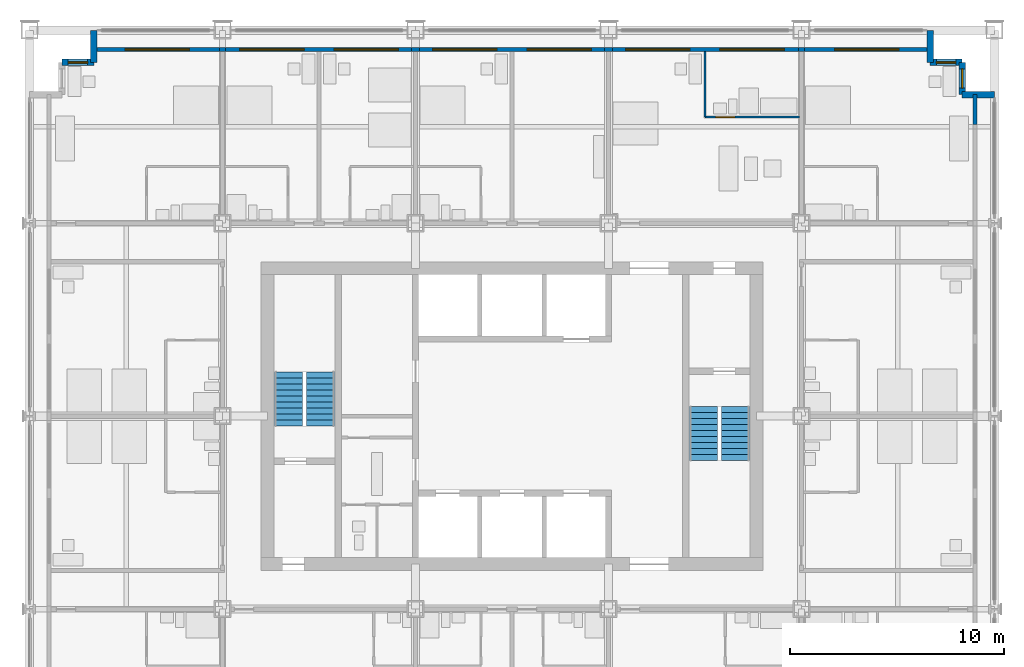
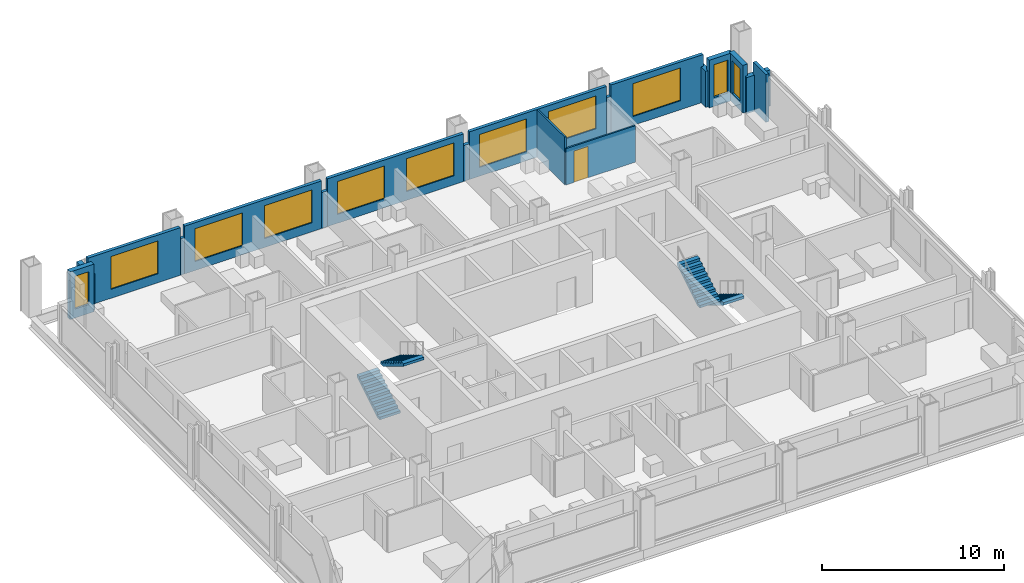
# One storey, part 13 of 16: 18 walls, 11 windows, 4 stair flights, 1 door, 12 openings, 2 elements without a shape of their own.
"""IFC4 building model written with IfcOpenShell, lengths in metres."""

from ifc_helpers import new_model, si_unit, direction, frame, frame_2d, origin, place, context, subcontext, project, spatial, polyline, rectangle, outline, extrude, material, layer, layer_set, type_object, element, fill, aggregate, save


model = new_model("IFC4")

# Units and contexts
model_context = context("Model", 3, precision=1e-05, world=origin(), true_north=direction((0.0, 1.0)))
body_context = subcontext(model_context, "Body", "Model", "MODEL_VIEW")
ifc_project = project(units=[si_unit("LENGTHUNIT", "METRE"), si_unit("AREAUNIT", "SQUARE_METRE"), si_unit("VOLUMEUNIT", "CUBIC_METRE"), si_unit("PLANEANGLEUNIT", "RADIAN"), si_unit("MASSUNIT", "GRAM", prefix="KILO")], contexts=[model_context])

# Site, building, storey
site_placement = place(None, origin())
site = spatial("IfcSite", under=ifc_project, at=site_placement, CompositionType="ELEMENT")
building_placement = place(site_placement, origin())
building = spatial("IfcBuilding", under=site, at=building_placement, Name="Loomwork Tower", CompositionType="ELEMENT")
storey_placement = place(building_placement, frame((0.0, 0.0, 135.0)))
storey = spatial("IfcBuildingStorey", under=building, at=storey_placement, Name="L36", CompositionType="ELEMENT", Elevation=135.0)

# Wall, opening, door
ifc_material_1 = material(Name="Cement board on steel studs", Category="steel")
ifc_layer_1 = layer(ifc_material_1, 0.10009765625)
ifc_layer_set_1 = layer_set([ifc_layer_1], Name="En-suite partition 100")
wall_type_1 = type_object("IfcWallType", Name="En-suite partition 100", PredefinedType="PARTITIONING", material=ifc_layer_set_1)
wall_1_placement = place(storey_placement, frame((31.5, 31.949951171875, 0.0), z_axis=(0.0, 0.0, 1.0), x_axis=(1.0, 0.0, 0.0)))
wall_1 = element("IfcWall", 1, at=wall_1_placement, inside=storey, type_object=wall_type_1, Name="Spa bathroom wall L36 room 12", PredefinedType="PARTITIONING", context=body_context, shape_type="SweptSolid", body=[
    extrude(rectangle(XDim=4.39990234375, YDim=0.10009765625, at=frame_2d((2.199951171875, 0.0))), origin(), (0.0, 0.0, 1.0), 2.43798828125),
])
opening_1_placement = place(wall_1_placement, frame((0.5, 0.0, 0.0)))
opening_1 = element("IfcOpeningElement", 2, at=opening_1_placement, cuts=wall_1, Name="Opening D2", PredefinedType="OPENING", context=body_context, shape_type="SweptSolid", body=[
    extrude(rectangle(XDim=0.89990234375, YDim=2.10009765625, at=frame_2d((0.449951171875, 1.050048828125))), frame((0.0, 0.06005859375, 0.0), z_axis=(0.0, -1.0, 0.0), x_axis=(1.0, 0.0, 0.0)), (0.0, 0.0, 1.0), 0.1201171875),
])
ifc_material_2 = material(Name="Hollow metal door and frame")
door_type = type_object("IfcDoorType", Name="En-suite door 900", OperationType="SINGLE_SWING_LEFT", PredefinedType="DOOR", material=ifc_material_2)
door_placement = place(opening_1_placement, origin())
door = element("IfcDoor", 3, at=door_placement, inside=storey, type_object=door_type, Name="Spa bathroom door room 12", OperationType="SINGLE_SWING_LEFT", OverallHeight=2.10009765625, OverallWidth=0.89990234375, PredefinedType="DOOR", context=body_context, shape_type="SweptSolid", body=[
    extrude(rectangle(XDim=0.89990234375, YDim=2.10009765625, at=frame_2d((0.449951171875, 1.050048828125))), frame((0.0, 0.02490234375, 0.0), z_axis=(0.0, -1.0, 0.0), x_axis=(1.0, 0.0, 0.0)), (0.0, 0.0, 1.0), 0.050048828125),
])
fill(opening_1, door)

# Wall
wall_2_placement = place(storey_placement, frame((31.5, 31.949951171875, 0.0), z_axis=(0.0, 0.0, 1.0), x_axis=(0.0, 1.0, 0.0)))
element("IfcWall", 4, at=wall_2_placement, inside=storey, type_object=wall_type_1, Name="Spa bathroom side wall L36 room 12", PredefinedType="PARTITIONING", context=body_context, shape_type="SweptSolid", body=[
    extrude(rectangle(XDim=3.050048828125, YDim=0.10009765625, at=frame_2d((1.52490234375, 0.0))), origin(), (0.0, 0.0, 1.0), 3.199951171875),
])

# Wall, opening, window
ifc_material_3 = material(Name="Insulated steel stud wall with gypsum lining", Category="steel")
ifc_layer_2 = layer(ifc_material_3, 0.199951171875)
ifc_layer_set_2 = layer_set([ifc_layer_2], Name="Inner skin wall 200")
wall_type_2 = type_object("IfcWallType", Name="Inner skin wall 200", PredefinedType="SOLIDWALL", material=ifc_layer_set_2)
wall_3_placement = place(storey_placement, frame((3.0, 35.10009765625, 0.0), z_axis=(0.0, 0.0, 1.0), x_axis=(1.0, 0.0, 0.0)))
wall_3 = element("IfcWall", 5, at=wall_3_placement, inside=storey, type_object=wall_type_2, Name="Inner skin wall N", PredefinedType="SOLIDWALL", context=body_context, shape_type="SweptSolid", body=[
    extrude(rectangle(XDim=5.86474609375, YDim=0.199951171875, at=frame_2d((2.932373046875, 0.0))), origin(), (0.0, 0.0, 1.0), 3.199951171875),
])
opening_2_placement = place(wall_3_placement, frame((1.449951171875, 0.0, 0.60009765625)))
opening_2 = element("IfcOpeningElement", 6, at=opening_2_placement, cuts=wall_3, Name="Opening CH1", PredefinedType="OPENING", context=body_context, shape_type="SweptSolid", body=[
    extrude(rectangle(XDim=3.0, YDim=2.199951171875, at=frame_2d((1.5, 1.10009765625))), frame((0.0, 0.10986328125, 0.0), z_axis=(0.0, -1.0, 0.0), x_axis=(1.0, 0.0, 0.0)), (0.0, 0.0, 1.0), 0.219970703125),
])
ifc_material_4 = material(Name="Aluminium frame with clear insulated glass", Category="aluminium")
window_type_1 = type_object("IfcWindowType", Name="Chicago window 3000", PartitioningType="TRIPLE_PANEL_VERTICAL", PredefinedType="WINDOW", material=ifc_material_4)
window_1_placement = place(opening_2_placement, origin())
window_1 = element("IfcWindow", 7, at=window_1_placement, inside=storey, type_object=window_type_1, Name="Chicago window L36 bay 6", OverallHeight=2.199951171875, OverallWidth=3.0, PartitioningType="TRIPLE_PANEL_VERTICAL", PredefinedType="WINDOW", context=body_context, shape_type="SweptSolid", body=[
    extrude(rectangle(XDim=3.0, YDim=2.199951171875, at=frame_2d((1.5, 1.10009765625))), frame((0.0, 0.030029296875, 0.0), z_axis=(0.0, -1.0, 0.0), x_axis=(1.0, 0.0, 0.0)), (0.0, 0.0, 1.0), 0.06005859375),
])
fill(opening_2, window_1)

# Wall
wall_4_placement = place(storey_placement, frame((8.86474609375, 35.10009765625, 0.0), z_axis=(0.0, 0.0, 1.0), x_axis=(1.0, 0.0, 0.0)))
element("IfcWall", 8, at=wall_4_placement, inside=storey, type_object=wall_type_2, Name="Inner skin wall N bay 2", PredefinedType="SOLIDWALL", context=body_context, shape_type="SweptSolid", body=[
    extrude(rectangle(XDim=0.2705078125, YDim=0.199951171875, at=frame_2d((0.13525390625, 0.0))), origin(), (0.0, 0.0, 1.0), 2.43798828125),
])

# Wall, openings, windows
wall_5_placement = place(storey_placement, frame((9.13525390625, 35.10009765625, 0.0), z_axis=(0.0, 0.0, 1.0), x_axis=(1.0, 0.0, 0.0)))
wall_5 = element("IfcWall", 9, at=wall_5_placement, inside=storey, type_object=wall_type_2, Name="Inner skin wall N bay 3", PredefinedType="SOLIDWALL", context=body_context, shape_type="SweptSolid", body=[
    extrude(rectangle(XDim=8.6708984375, YDim=0.199951171875, at=frame_2d((4.33544921875, 0.0))), origin(), (0.0, 0.0, 1.0), 3.199951171875),
])
opening_3_placement = place(wall_5_placement, frame((0.664794921875, 0.0, 0.60009765625)))
opening_3 = element("IfcOpeningElement", 10, at=opening_3_placement, cuts=wall_5, Name="Opening CH1", PredefinedType="OPENING", context=body_context, shape_type="SweptSolid", body=[
    extrude(rectangle(XDim=3.0, YDim=2.199951171875, at=frame_2d((1.5, 1.10009765625))), frame((0.0, 0.10986328125, 0.0), z_axis=(0.0, -1.0, 0.0), x_axis=(1.0, 0.0, 0.0)), (0.0, 0.0, 1.0), 0.219970703125),
])
opening_4_placement = place(wall_5_placement, frame((5.064697265625, 0.0, 0.60009765625)))
opening_4 = element("IfcOpeningElement", 11, at=opening_4_placement, cuts=wall_5, Name="Opening CH1", PredefinedType="OPENING", context=body_context, shape_type="SweptSolid", body=[
    extrude(rectangle(XDim=3.0, YDim=2.199951171875, at=frame_2d((1.5, 1.10009765625))), frame((0.0, 0.10986328125, 0.0), z_axis=(0.0, -1.0, 0.0), x_axis=(1.0, 0.0, 0.0)), (0.0, 0.0, 1.0), 0.219970703125),
])
window_2_placement = place(opening_3_placement, origin())
window_2 = element("IfcWindow", 12, at=window_2_placement, inside=storey, type_object=window_type_1, Name="Chicago window L36 bay 7", OverallHeight=2.199951171875, OverallWidth=3.0, PartitioningType="TRIPLE_PANEL_VERTICAL", PredefinedType="WINDOW", context=body_context, shape_type="SweptSolid", body=[
    extrude(rectangle(XDim=3.0, YDim=2.199951171875, at=frame_2d((1.5, 1.10009765625))), frame((0.0, 0.030029296875, 0.0), z_axis=(0.0, -1.0, 0.0), x_axis=(1.0, 0.0, 0.0)), (0.0, 0.0, 1.0), 0.06005859375),
])
fill(opening_3, window_2)
window_3_placement = place(opening_4_placement, origin())
window_3 = element("IfcWindow", 13, at=window_3_placement, inside=storey, type_object=window_type_1, Name="Chicago window L36 bay 7", OverallHeight=2.199951171875, OverallWidth=3.0, PartitioningType="TRIPLE_PANEL_VERTICAL", PredefinedType="WINDOW", context=body_context, shape_type="SweptSolid", body=[
    extrude(rectangle(XDim=3.0, YDim=2.199951171875, at=frame_2d((1.5, 1.10009765625))), frame((0.0, 0.030029296875, 0.0), z_axis=(0.0, -1.0, 0.0), x_axis=(1.0, 0.0, 0.0)), (0.0, 0.0, 1.0), 0.06005859375),
])
fill(opening_4, window_3)

# Wall
wall_6_placement = place(storey_placement, frame((17.80615234375, 35.10009765625, 0.0), z_axis=(0.0, 0.0, 1.0), x_axis=(1.0, 0.0, 0.0)))
element("IfcWall", 14, at=wall_6_placement, inside=storey, type_object=wall_type_2, Name="Inner skin wall N bay 4", PredefinedType="SOLIDWALL", context=body_context, shape_type="SweptSolid", body=[
    extrude(rectangle(XDim=0.3876953125, YDim=0.199951171875, at=frame_2d((0.19384765625, 0.0))), origin(), (0.0, 0.0, 1.0), 2.404052734375),
])

# Wall, openings, windows
wall_7_placement = place(storey_placement, frame((18.19384765625, 35.10009765625, 0.0), z_axis=(0.0, 0.0, 1.0), x_axis=(1.0, 0.0, 0.0)))
wall_7 = element("IfcWall", 15, at=wall_7_placement, inside=storey, type_object=wall_type_2, Name="Inner skin wall N bay 5", PredefinedType="SOLIDWALL", context=body_context, shape_type="SweptSolid", body=[
    extrude(rectangle(XDim=8.6123046875, YDim=0.199951171875, at=frame_2d((4.30615234375, 0.0))), origin(), (0.0, 0.0, 1.0), 3.199951171875),
])
opening_5_placement = place(wall_7_placement, frame((0.606201171875, 0.0, 0.60009765625)))
opening_5 = element("IfcOpeningElement", 16, at=opening_5_placement, cuts=wall_7, Name="Opening CH1", PredefinedType="OPENING", context=body_context, shape_type="SweptSolid", body=[
    extrude(rectangle(XDim=3.0, YDim=2.199951171875, at=frame_2d((1.5, 1.10009765625))), frame((0.0, 0.10986328125, 0.0), z_axis=(0.0, -1.0, 0.0), x_axis=(1.0, 0.0, 0.0)), (0.0, 0.0, 1.0), 0.219970703125),
])
opening_6_placement = place(wall_7_placement, frame((5.006103515625, 0.0, 0.60009765625)))
opening_6 = element("IfcOpeningElement", 17, at=opening_6_placement, cuts=wall_7, Name="Opening CH1", PredefinedType="OPENING", context=body_context, shape_type="SweptSolid", body=[
    extrude(rectangle(XDim=3.0, YDim=2.199951171875, at=frame_2d((1.5, 1.10009765625))), frame((0.0, 0.10986328125, 0.0), z_axis=(0.0, -1.0, 0.0), x_axis=(1.0, 0.0, 0.0)), (0.0, 0.0, 1.0), 0.219970703125),
])
window_4_placement = place(opening_5_placement, origin())
window_4 = element("IfcWindow", 18, at=window_4_placement, inside=storey, type_object=window_type_1, Name="Chicago window L36 bay 8", OverallHeight=2.199951171875, OverallWidth=3.0, PartitioningType="TRIPLE_PANEL_VERTICAL", PredefinedType="WINDOW", context=body_context, shape_type="SweptSolid", body=[
    extrude(rectangle(XDim=3.0, YDim=2.199951171875, at=frame_2d((1.5, 1.10009765625))), frame((0.0, 0.030029296875, 0.0), z_axis=(0.0, -1.0, 0.0), x_axis=(1.0, 0.0, 0.0)), (0.0, 0.0, 1.0), 0.06005859375),
])
fill(opening_5, window_4)
window_5_placement = place(opening_6_placement, origin())
window_5 = element("IfcWindow", 19, at=window_5_placement, inside=storey, type_object=window_type_1, Name="Chicago window L36 bay 8", OverallHeight=2.199951171875, OverallWidth=3.0, PartitioningType="TRIPLE_PANEL_VERTICAL", PredefinedType="WINDOW", context=body_context, shape_type="SweptSolid", body=[
    extrude(rectangle(XDim=3.0, YDim=2.199951171875, at=frame_2d((1.5, 1.10009765625))), frame((0.0, 0.030029296875, 0.0), z_axis=(0.0, -1.0, 0.0), x_axis=(1.0, 0.0, 0.0)), (0.0, 0.0, 1.0), 0.06005859375),
])
fill(opening_6, window_5)

# Wall
wall_8_placement = place(storey_placement, frame((26.80615234375, 35.10009765625, 0.0), z_axis=(0.0, 0.0, 1.0), x_axis=(1.0, 0.0, 0.0)))
element("IfcWall", 20, at=wall_8_placement, inside=storey, type_object=wall_type_2, Name="Inner skin wall N bay 6", PredefinedType="SOLIDWALL", context=body_context, shape_type="SweptSolid", body=[
    extrude(rectangle(XDim=0.3876953125, YDim=0.199951171875, at=frame_2d((0.19384765625, 0.0))), origin(), (0.0, 0.0, 1.0), 2.404052734375),
])

# Wall, openings, windows
wall_9_placement = place(storey_placement, frame((27.19384765625, 35.10009765625, 0.0), z_axis=(0.0, 0.0, 1.0), x_axis=(1.0, 0.0, 0.0)))
wall_9 = element("IfcWall", 21, at=wall_9_placement, inside=storey, type_object=wall_type_2, Name="Inner skin wall N bay 7", PredefinedType="SOLIDWALL", context=body_context, shape_type="SweptSolid", body=[
    extrude(rectangle(XDim=8.670654296875, YDim=0.199951171875, at=frame_2d((4.33544921875, 0.0))), origin(), (0.0, 0.0, 1.0), 3.199951171875),
])
opening_7_placement = place(wall_9_placement, frame((0.606201171875, 0.0, 0.60009765625)))
opening_7 = element("IfcOpeningElement", 22, at=opening_7_placement, cuts=wall_9, Name="Opening CH1", PredefinedType="OPENING", context=body_context, shape_type="SweptSolid", body=[
    extrude(rectangle(XDim=3.0, YDim=2.199951171875, at=frame_2d((1.5, 1.10009765625))), frame((0.0, 0.10986328125, 0.0), z_axis=(0.0, -1.0, 0.0), x_axis=(1.0, 0.0, 0.0)), (0.0, 0.0, 1.0), 0.219970703125),
])
opening_8_placement = place(wall_9_placement, frame((5.006103515625, 0.0, 0.60009765625)))
opening_8 = element("IfcOpeningElement", 23, at=opening_8_placement, cuts=wall_9, Name="Opening CH1", PredefinedType="OPENING", context=body_context, shape_type="SweptSolid", body=[
    extrude(rectangle(XDim=3.0, YDim=2.199951171875, at=frame_2d((1.5, 1.10009765625))), frame((0.0, 0.10986328125, 0.0), z_axis=(0.0, -1.0, 0.0), x_axis=(1.0, 0.0, 0.0)), (0.0, 0.0, 1.0), 0.219970703125),
])
window_6_placement = place(opening_7_placement, origin())
window_6 = element("IfcWindow", 24, at=window_6_placement, inside=storey, type_object=window_type_1, Name="Chicago window L36 bay 9", OverallHeight=2.199951171875, OverallWidth=3.0, PartitioningType="TRIPLE_PANEL_VERTICAL", PredefinedType="WINDOW", context=body_context, shape_type="SweptSolid", body=[
    extrude(rectangle(XDim=3.0, YDim=2.199951171875, at=frame_2d((1.5, 1.10009765625))), frame((0.0, 0.030029296875, 0.0), z_axis=(0.0, -1.0, 0.0), x_axis=(1.0, 0.0, 0.0)), (0.0, 0.0, 1.0), 0.06005859375),
])
fill(opening_7, window_6)
window_7_placement = place(opening_8_placement, origin())
window_7 = element("IfcWindow", 25, at=window_7_placement, inside=storey, type_object=window_type_1, Name="Chicago window L36 bay 9", OverallHeight=2.199951171875, OverallWidth=3.0, PartitioningType="TRIPLE_PANEL_VERTICAL", PredefinedType="WINDOW", context=body_context, shape_type="SweptSolid", body=[
    extrude(rectangle(XDim=3.0, YDim=2.199951171875, at=frame_2d((1.5, 1.10009765625))), frame((0.0, 0.030029296875, 0.0), z_axis=(0.0, -1.0, 0.0), x_axis=(1.0, 0.0, 0.0)), (0.0, 0.0, 1.0), 0.06005859375),
])
fill(opening_8, window_7)

# Wall
wall_10_placement = place(storey_placement, frame((35.864501953125, 35.10009765625, 0.0), z_axis=(0.0, 0.0, 1.0), x_axis=(1.0, 0.0, 0.0)))
element("IfcWall", 26, at=wall_10_placement, inside=storey, type_object=wall_type_2, Name="Inner skin wall N bay 8", PredefinedType="SOLIDWALL", context=body_context, shape_type="SweptSolid", body=[
    extrude(rectangle(XDim=0.27099609375, YDim=0.199951171875, at=frame_2d((0.135498046875, 0.0))), origin(), (0.0, 0.0, 1.0), 2.43798828125),
])

# Wall, opening, window
wall_11_placement = place(storey_placement, frame((36.135498046875, 35.10009765625, 0.0), z_axis=(0.0, 0.0, 1.0), x_axis=(1.0, 0.0, 0.0)))
wall_11 = element("IfcWall", 27, at=wall_11_placement, inside=storey, type_object=wall_type_2, Name="Inner skin wall N bay 9", PredefinedType="SOLIDWALL", context=body_context, shape_type="SweptSolid", body=[
    extrude(rectangle(XDim=5.864501953125, YDim=0.199951171875, at=frame_2d((2.93212890625, 0.0))), origin(), (0.0, 0.0, 1.0), 3.199951171875),
])
opening_9_placement = place(wall_11_placement, frame((1.41455078125, 0.0, 0.60009765625)))
opening_9 = element("IfcOpeningElement", 28, at=opening_9_placement, cuts=wall_11, Name="Opening CH1", PredefinedType="OPENING", context=body_context, shape_type="SweptSolid", body=[
    extrude(rectangle(XDim=3.0, YDim=2.199951171875, at=frame_2d((1.5, 1.10009765625))), frame((0.0, 0.10986328125, 0.0), z_axis=(0.0, -1.0, 0.0), x_axis=(1.0, 0.0, 0.0)), (0.0, 0.0, 1.0), 0.219970703125),
])
window_8_placement = place(opening_9_placement, origin())
window_8 = element("IfcWindow", 29, at=window_8_placement, inside=storey, type_object=window_type_1, Name="Chicago window L36 bay 10", OverallHeight=2.199951171875, OverallWidth=3.0, PartitioningType="TRIPLE_PANEL_VERTICAL", PredefinedType="WINDOW", context=body_context, shape_type="SweptSolid", body=[
    extrude(rectangle(XDim=3.0, YDim=2.199951171875, at=frame_2d((1.5, 1.10009765625))), frame((0.0, 0.030029296875, 0.0), z_axis=(0.0, -1.0, 0.0), x_axis=(1.0, 0.0, 0.0)), (0.0, 0.0, 1.0), 0.06005859375),
])
fill(opening_9, window_8)

# Walls
wall_12_placement = place(storey_placement, frame((44.10009765625, 31.607421875, 0.0), z_axis=(0.0, 0.0, 1.0), x_axis=(0.0, 1.0, 0.0)))
element("IfcWall", 30, at=wall_12_placement, inside=storey, type_object=wall_type_2, Name="Inner skin wall E bay 11", PredefinedType="SOLIDWALL", context=body_context, shape_type="SweptSolid", body=[
    extrude(rectangle(XDim=1.392578125, YDim=0.199951171875, at=frame_2d((0.6962890625, 0.0))), origin(), (0.0, 0.0, 1.0), 3.199951171875),
])
ifc_material_5 = material(Name="Limestone on concrete masonry", Category="masonry")
ifc_layer_3 = layer(ifc_material_5, 0.300048828125)
ifc_layer_set_3 = layer_set([ifc_layer_3], Name="Limestone corner wall 300")
wall_type_3 = type_object("IfcWallType", Name="Limestone corner wall 300", PredefinedType="SOLIDWALL", material=ifc_layer_set_3)
wall_13_placement = place(storey_placement, frame((45.0, 33.0, 0.0), z_axis=(0.0, 0.0, 1.0), x_axis=(-1.0, 0.0, 0.0)))
element("IfcWall", 31, at=wall_13_placement, inside=storey, type_object=wall_type_3, Name="Stone corner wall NE 1", PredefinedType="SOLIDWALL", context=body_context, shape_type="SweptSolid", body=[
    extrude(rectangle(XDim=1.5, YDim=0.300048828125, at=frame_2d((0.75, 0.0))), origin(), (0.0, 0.0, 1.0), 2.419921875),
])

# Wall, opening, window
wall_14_placement = place(storey_placement, frame((43.5, 33.0, 0.0), z_axis=(0.0, 0.0, 1.0), x_axis=(0.0, 1.0, 0.0)))
wall_14 = element("IfcWall", 32, at=wall_14_placement, inside=storey, type_object=wall_type_3, Name="Stone corner wall NE 2", PredefinedType="SOLIDWALL", context=body_context, shape_type="SweptSolid", body=[
    extrude(rectangle(XDim=1.5, YDim=0.300048828125, at=frame_2d((0.75, 0.0))), origin(), (0.0, 0.0, 1.0), 3.199951171875),
])
opening_10_placement = place(wall_14_placement, frame((0.300048828125, 0.0, 0.60009765625)))
opening_10 = element("IfcOpeningElement", 33, at=opening_10_placement, cuts=wall_14, Name="Opening CH2", PredefinedType="OPENING", context=body_context, shape_type="SweptSolid", body=[
    extrude(rectangle(XDim=0.89990234375, YDim=2.199951171875, at=frame_2d((0.449951171875, 1.10009765625))), frame((0.0, 0.159912109375, 0.0), z_axis=(0.0, -1.0, 0.0), x_axis=(1.0, 0.0, 0.0)), (0.0, 0.0, 1.0), 0.320068359375),
])
ifc_material_6 = material(Name="Aluminium frame with clear insulated glass", Category="aluminium")
window_type_2 = type_object("IfcWindowType", Name="Corner window 900", PartitioningType="SINGLE_PANEL", PredefinedType="WINDOW", material=ifc_material_6)
window_9_placement = place(opening_10_placement, origin())
window_9 = element("IfcWindow", 34, at=window_9_placement, inside=storey, type_object=window_type_2, Name="Corner window NE", OverallHeight=2.199951171875, OverallWidth=0.89990234375, PartitioningType="SINGLE_PANEL", PredefinedType="WINDOW", context=body_context, shape_type="SweptSolid", body=[
    extrude(rectangle(XDim=0.89990234375, YDim=2.199951171875, at=frame_2d((0.449951171875, 1.10009765625))), frame((0.0, 0.030029296875, 0.0), z_axis=(0.0, -1.0, 0.0), x_axis=(1.0, 0.0, 0.0)), (0.0, 0.0, 1.0), 0.06005859375),
])
fill(opening_10, window_9)

wall_15_placement = place(storey_placement, frame((43.5, 34.5, 0.0), z_axis=(0.0, 0.0, 1.0), x_axis=(-1.0, 0.0, 0.0)))
wall_15 = element("IfcWall", 35, at=wall_15_placement, inside=storey, type_object=wall_type_3, Name="Stone corner wall NE 3", PredefinedType="SOLIDWALL", context=body_context, shape_type="SweptSolid", body=[
    extrude(rectangle(XDim=1.5, YDim=0.300048828125, at=frame_2d((0.75, 0.0))), origin(), (0.0, 0.0, 1.0), 3.199951171875),
])
opening_11_placement = place(wall_15_placement, frame((0.300048828125, 0.0, 0.60009765625)))
opening_11 = element("IfcOpeningElement", 36, at=opening_11_placement, cuts=wall_15, Name="Opening CH2", PredefinedType="OPENING", context=body_context, shape_type="SweptSolid", body=[
    extrude(rectangle(XDim=0.89990234375, YDim=2.199951171875, at=frame_2d((0.449951171875, 1.10009765625))), frame((0.0, 0.159912109375, 0.0), z_axis=(0.0, -1.0, 0.0), x_axis=(1.0, 0.0, 0.0)), (0.0, 0.0, 1.0), 0.320068359375),
])
window_10_placement = place(opening_11_placement, origin())
window_10 = element("IfcWindow", 37, at=window_10_placement, inside=storey, type_object=window_type_2, Name="Corner window NE", OverallHeight=2.199951171875, OverallWidth=0.89990234375, PartitioningType="SINGLE_PANEL", PredefinedType="WINDOW", context=body_context, shape_type="SweptSolid", body=[
    extrude(rectangle(XDim=0.89990234375, YDim=2.199951171875, at=frame_2d((0.449951171875, 1.10009765625))), frame((0.0, 0.030029296875, 0.0), z_axis=(0.0, -1.0, 0.0), x_axis=(1.0, 0.0, 0.0)), (0.0, 0.0, 1.0), 0.06005859375),
])
fill(opening_11, window_10)

# Walls
for number, where, z_axis, x_axis, name in (
    (38, (42.0, 34.5, 0.0), (0.0, 0.0, 1.0), (0.0, 1.0, 0.0), "Stone corner wall NE 4"),
    (39, (3.0, 36.0, 0.0), (0.0, 0.0, 1.0), (0.0, -1.0, 0.0), "Stone corner wall NW 1"),
):
    element("IfcWall", number, at=place(storey_placement, frame(where, z_axis=z_axis, x_axis=x_axis)), inside=storey, type_object=wall_type_3, Name=name, PredefinedType="SOLIDWALL", context=body_context, shape_type="SweptSolid", body=[
        extrude(rectangle(XDim=1.5, YDim=0.300048828125, at=frame_2d((0.75, 0.0))), origin(), (0.0, 0.0, 1.0), 2.419921875),
    ])

# Wall, opening, window
wall_16_placement = place(storey_placement, frame((3.0, 34.5, 0.0), z_axis=(0.0, 0.0, 1.0), x_axis=(-1.0, 0.0, 0.0)))
wall_16 = element("IfcWall", 40, at=wall_16_placement, inside=storey, type_object=wall_type_3, Name="Stone corner wall NW 2", PredefinedType="SOLIDWALL", context=body_context, shape_type="SweptSolid", body=[
    extrude(rectangle(XDim=1.5, YDim=0.300048828125, at=frame_2d((0.75, 0.0))), origin(), (0.0, 0.0, 1.0), 3.199951171875),
])
opening_12_placement = place(wall_16_placement, frame((0.300048828125, 0.0, 0.60009765625)))
opening_12 = element("IfcOpeningElement", 41, at=opening_12_placement, cuts=wall_16, Name="Opening CH2", PredefinedType="OPENING", context=body_context, shape_type="SweptSolid", body=[
    extrude(rectangle(XDim=0.89990234375, YDim=2.199951171875, at=frame_2d((0.449951171875, 1.10009765625))), frame((0.0, 0.159912109375, 0.0), z_axis=(0.0, -1.0, 0.0), x_axis=(1.0, 0.0, 0.0)), (0.0, 0.0, 1.0), 0.320068359375),
])
window_11_placement = place(opening_12_placement, origin())
window_11 = element("IfcWindow", 42, at=window_11_placement, inside=storey, type_object=window_type_2, Name="Corner window NW", OverallHeight=2.199951171875, OverallWidth=0.89990234375, PartitioningType="SINGLE_PANEL", PredefinedType="WINDOW", context=body_context, shape_type="SweptSolid", body=[
    extrude(rectangle(XDim=0.89990234375, YDim=2.199951171875, at=frame_2d((0.449951171875, 1.10009765625))), frame((0.0, 0.030029296875, 0.0), z_axis=(0.0, -1.0, 0.0), x_axis=(1.0, 0.0, 0.0)), (0.0, 0.0, 1.0), 0.06005859375),
])
fill(opening_12, window_11)

# Stair, stair flights
ifc_material_7 = material(Name="Concrete 5000 psi (34 MPa) precast stair", Category="concrete")
stair_type_1 = type_object("IfcStairType", Name="Stair ST-A 20 risers 2850 wide", PredefinedType="HALF_TURN_STAIR", material=ifc_material_7)
stair_1_placement = place(storey_placement, origin())
stair_1 = element("IfcStair", 43, at=stair_1_placement, inside=storey, type_object=stair_type_1, Name="Stair A L36", PredefinedType="HALF_TURN_STAIR")
ifc_material_8 = material(Name="Concrete 5000 psi (34 MPa) precast stair", Category="concrete")
stair_flight_type_1 = type_object("IfcStairFlightType", Name="Stair flight ST-A 10 risers 1300 wide", PredefinedType="STRAIGHT", material=ifc_material_8)
stair_flight_1_placement = place(storey_placement, frame((12.074951171875, 17.550048828125, 0.0), z_axis=(0.0, 0.0, 1.0), x_axis=(0.0, 1.0, 0.0)))
stair_flight_1 = element("IfcStairFlight", 44, at=stair_flight_1_placement, type_object=stair_flight_type_1, Name="ST-A flight 1", NumberOfRisers=10, NumberOfTreads=9, PredefinedType="STRAIGHT", RiserHeight=0.17, TreadLength=0.28, context=body_context, shape_type="SweptSolid", body=[
    extrude(outline(polyline([(0.0, 0.0), (0.0, 0.169921875), (0.280029296875, 0.169921875), (0.280029296875, 0.340087890625), (0.56005859375, 0.340087890625), (0.56005859375, 0.510009765625), (0.840087890625, 0.510009765625), (0.840087890625, 0.679931640625), (1.1201171875, 0.679931640625), (1.1201171875, 0.85009765625), (1.39990234375, 0.85009765625), (1.39990234375, 1.02001953125), (1.679931640625, 1.02001953125), (1.679931640625, 1.18994140625), (1.9599609375, 1.18994140625), (1.9599609375, 1.360107421875), (2.239990234375, 1.360107421875), (2.239990234375, 1.530029296875), (2.52001953125, 1.530029296875), (2.52001953125, 1.699951171875), (2.52001953125, 1.354736328125), (0.288818359375, 0.0), (0.0, 0.0)])), frame((0.0, 0.64990234375, 0.0), z_axis=(0.0, -1.0, 0.0), x_axis=(1.0, 0.0, 0.0)), (0.0, 0.0, 1.0), 1.300048828125),
])
stair_flight_2_placement = place(storey_placement, frame((13.574951171875, 20.070068359375, 1.699951171875), z_axis=(0.0, 0.0, 1.0), x_axis=(0.0, -1.0, 0.0)))
stair_flight_2 = element("IfcStairFlight", 45, at=stair_flight_2_placement, type_object=stair_flight_type_1, Name="ST-A flight 2", NumberOfRisers=10, NumberOfTreads=9, PredefinedType="STRAIGHT", RiserHeight=0.17, TreadLength=0.28, context=body_context, shape_type="SweptSolid", body=[
    extrude(outline(polyline([(0.0, 0.0), (0.0, 0.169921875), (0.280029296875, 0.169921875), (0.280029296875, 0.340087890625), (0.56005859375, 0.340087890625), (0.56005859375, 0.510009765625), (0.840087890625, 0.510009765625), (0.840087890625, 0.679931640625), (1.1201171875, 0.679931640625), (1.1201171875, 0.85009765625), (1.39990234375, 0.85009765625), (1.39990234375, 1.02001953125), (1.679931640625, 1.02001953125), (1.679931640625, 1.18994140625), (1.9599609375, 1.18994140625), (1.9599609375, 1.360107421875), (2.239990234375, 1.360107421875), (2.239990234375, 1.530029296875), (2.52001953125, 1.530029296875), (2.52001953125, 1.699951171875), (2.52001953125, 1.354736328125), (0.288818359375, 0.0), (0.0, 0.0)])), frame((0.0, 0.64990234375, 0.0), z_axis=(0.0, -1.0, 0.0), x_axis=(1.0, 0.0, 0.0)), (0.0, 0.0, 1.0), 1.300048828125),
])
aggregate(stair_1, [stair_flight_1, stair_flight_2])

ifc_material_9 = material(Name="Concrete 5000 psi (34 MPa) precast stair", Category="concrete")
stair_type_2 = type_object("IfcStairType", Name="Stair ST-B 20 risers 2850 wide", PredefinedType="HALF_TURN_STAIR", material=ifc_material_9)
stair_2_placement = place(storey_placement, origin())
stair_2 = element("IfcStair", 46, at=stair_2_placement, inside=storey, type_object=stair_type_2, Name="Stair B L36", PredefinedType="HALF_TURN_STAIR")
ifc_material_10 = material(Name="Concrete 5000 psi (34 MPa) precast stair", Category="concrete")
stair_flight_type_2 = type_object("IfcStairFlightType", Name="Stair flight ST-B 10 risers 1300 wide", PredefinedType="STRAIGHT", material=ifc_material_10)
stair_flight_3_placement = place(storey_placement, frame((32.925048828125, 18.449951171875, 0.0), z_axis=(0.0, 0.0, 1.0), x_axis=(0.0, -1.0, 0.0)))
stair_flight_3 = element("IfcStairFlight", 47, at=stair_flight_3_placement, type_object=stair_flight_type_2, Name="ST-B flight 1", NumberOfRisers=10, NumberOfTreads=9, PredefinedType="STRAIGHT", RiserHeight=0.17, TreadLength=0.28, context=body_context, shape_type="SweptSolid", body=[
    extrude(outline(polyline([(0.0, 0.0), (0.0, 0.169921875), (0.280029296875, 0.169921875), (0.280029296875, 0.340087890625), (0.56005859375, 0.340087890625), (0.56005859375, 0.510009765625), (0.840087890625, 0.510009765625), (0.840087890625, 0.679931640625), (1.1201171875, 0.679931640625), (1.1201171875, 0.85009765625), (1.39990234375, 0.85009765625), (1.39990234375, 1.02001953125), (1.679931640625, 1.02001953125), (1.679931640625, 1.18994140625), (1.9599609375, 1.18994140625), (1.9599609375, 1.360107421875), (2.239990234375, 1.360107421875), (2.239990234375, 1.530029296875), (2.52001953125, 1.530029296875), (2.52001953125, 1.699951171875), (2.52001953125, 1.354736328125), (0.288818359375, 0.0), (0.0, 0.0)])), frame((0.0, 0.64990234375, 0.0), z_axis=(0.0, -1.0, 0.0), x_axis=(1.0, 0.0, 0.0)), (0.0, 0.0, 1.0), 1.300048828125),
])
stair_flight_4_placement = place(storey_placement, frame((31.425048828125, 15.929931640625, 1.699951171875), z_axis=(0.0, 0.0, 1.0), x_axis=(0.0, 1.0, 0.0)))
stair_flight_4 = element("IfcStairFlight", 48, at=stair_flight_4_placement, type_object=stair_flight_type_2, Name="ST-B flight 2", NumberOfRisers=10, NumberOfTreads=9, PredefinedType="STRAIGHT", RiserHeight=0.17, TreadLength=0.28, context=body_context, shape_type="SweptSolid", body=[
    extrude(outline(polyline([(0.0, 0.0), (0.0, 0.169921875), (0.280029296875, 0.169921875), (0.280029296875, 0.340087890625), (0.56005859375, 0.340087890625), (0.56005859375, 0.510009765625), (0.840087890625, 0.510009765625), (0.840087890625, 0.679931640625), (1.1201171875, 0.679931640625), (1.1201171875, 0.85009765625), (1.39990234375, 0.85009765625), (1.39990234375, 1.02001953125), (1.679931640625, 1.02001953125), (1.679931640625, 1.18994140625), (1.9599609375, 1.18994140625), (1.9599609375, 1.360107421875), (2.239990234375, 1.360107421875), (2.239990234375, 1.530029296875), (2.52001953125, 1.530029296875), (2.52001953125, 1.699951171875), (2.52001953125, 1.354736328125), (0.288818359375, 0.0), (0.0, 0.0)])), frame((0.0, 0.64990234375, 0.0), z_axis=(0.0, -1.0, 0.0), x_axis=(1.0, 0.0, 0.0)), (0.0, 0.0, 1.0), 1.300048828125),
])
aggregate(stair_2, [stair_flight_3, stair_flight_4])

save(model, "model.ifc")
